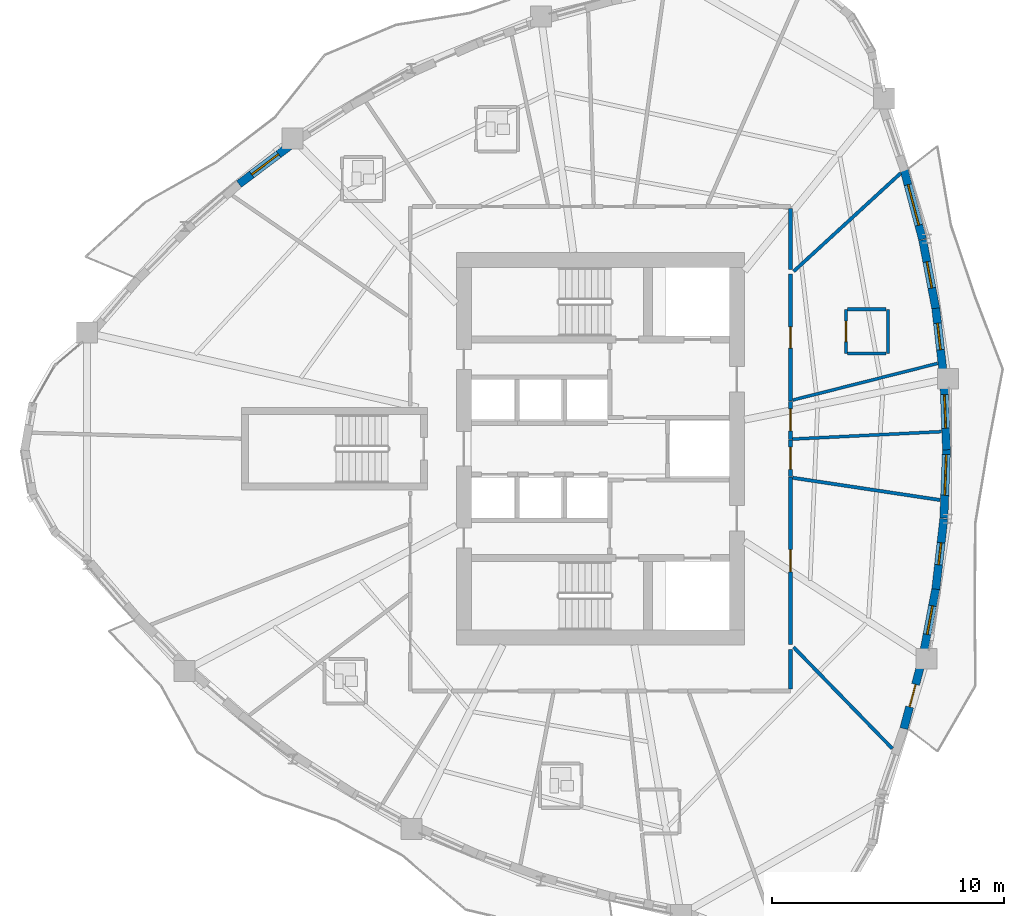
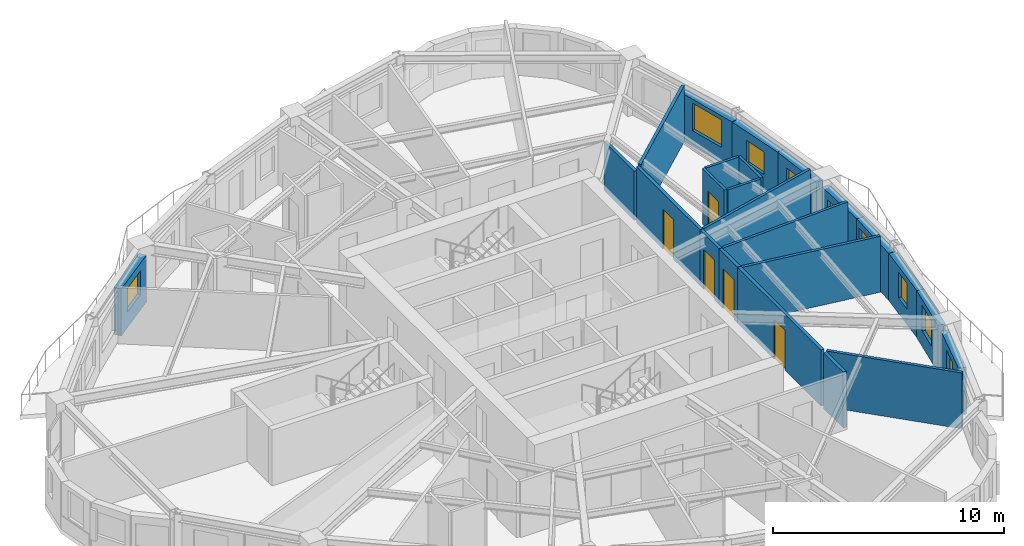
# One storey, part 8 of 14: 24 walls, 8 windows, 6 doors, 14 openings.
"""IFC4 building model written with IfcOpenShell, lengths in metres."""

from ifc_helpers import new_model, si_unit, direction, frame, frame_2d, origin, place, context, subcontext, project, spatial, rectangle, extrude, source, transform, mapped, material, layer, layer_set, type_object, element, fill, save


model = new_model("IFC4")

# Units and contexts
model_context = context("Model", 3, precision=1e-05, world=origin(), true_north=direction((0.0, 1.0)))
body_context = subcontext(model_context, "Body", "Model", "MODEL_VIEW")
ifc_project = project(units=[si_unit("LENGTHUNIT", "METRE"), si_unit("AREAUNIT", "SQUARE_METRE"), si_unit("VOLUMEUNIT", "CUBIC_METRE"), si_unit("PLANEANGLEUNIT", "RADIAN"), si_unit("MASSUNIT", "GRAM", prefix="KILO")], contexts=[model_context])

# Site, building, storey
site_placement = place(None, origin())
site = spatial("IfcSite", under=ifc_project, at=site_placement, CompositionType="ELEMENT")
building_placement = place(site_placement, origin())
building = spatial("IfcBuilding", under=site, at=building_placement, Name="Qafzar Sky-Pleat Residences", CompositionType="ELEMENT")
storey_placement = place(building_placement, frame((0.0, 0.0, 73.60009765625)))
storey = spatial("IfcBuildingStorey", under=building, at=storey_placement, Name="L21", CompositionType="ELEMENT", Elevation=73.60009765625)

# Wall, opening, door
ifc_material_1 = material(Name="Acoustic gypsum plasterboard partition", Category="gypsum")
ifc_layer_1 = layer(ifc_material_1, 0.159912109375)
ifc_layer_set_1 = layer_set([ifc_layer_1], Name="Acoustic gypsum plasterboard partition")
wall_type_1 = type_object("IfcWallType", Name="PART-COR-160", PredefinedType="PARTITIONING", material=ifc_layer_set_1)
wall_1_placement = place(storey_placement, frame((38.530029296875, 24.781005859375, 0.0), z_axis=(0.0, 0.0, 1.0), x_axis=(0.0, -1.0, 0.0)))
wall_1 = element("IfcWall", 1, at=wall_1_placement, inside=storey, type_object=wall_type_1, Name="L21 Partition Wall PART-L21-PW-001", PredefinedType="PARTITIONING", context=body_context, shape_type="SweptSolid", body=[
    extrude(rectangle(XDim=7.203125, YDim=0.159912109375, at=frame_2d((3.6015625, 0.0))), origin(), (0.0, 0.0, 1.0), 2.949951171875),
])
opening_1_placement = place(wall_1_placement, frame((3.118896484375, 0.0, 0.0)))
opening_1 = element("IfcOpeningElement", 2, at=opening_1_placement, cuts=wall_1, Name="Opening ID-06", PredefinedType="OPENING", context=body_context, shape_type="SweptSolid", body=[
    extrude(rectangle(XDim=0.9599609375, YDim=2.10009765625, at=frame_2d((0.47998046875, 1.050048828125))), frame((0.0, 0.08984375, 0.0), z_axis=(0.0, -1.0, 0.0), x_axis=(1.0, 0.0, 0.0)), (0.0, 0.0, 1.0), 0.179931640625),
])
ifc_material_2 = material(Name="Timber-faced fire door", Category="wood")
door_type_1 = type_object("IfcDoorType", Name="DR-STD-960", OperationType="NOTDEFINED", PredefinedType="DOOR", material=ifc_material_2)
shared_shape_1 = source(origin(), body_context, "Body", "SweptSolid", [
    extrude(rectangle(XDim=0.9599609375, YDim=2.10009765625, at=frame_2d((0.47998046875, 1.050048828125))), frame((0.0, 0.02490234375, 0.0), z_axis=(0.0, -1.0, 0.0), x_axis=(1.0, 0.0, 0.0)), (0.0, 0.0, 1.0), 0.050048828125),
])
door_1_placement = place(opening_1_placement, origin())
door_1 = element("IfcDoor", 3, at=door_1_placement, inside=storey, type_object=door_type_1, Name="L21 Postdoctoral Admin Office Door", OperationType="SINGLE_SWING_RIGHT", OverallHeight=2.10009765625, OverallWidth=0.9599609375, PredefinedType="DOOR", context=body_context, shape_type="MappedRepresentation", body=[
    mapped(shared_shape_1, transform((0.0, 0.0, 0.0), x_axis=(1.0, 0.0, 0.0), y_axis=(0.0, 1.0, 0.0), z_axis=(0.0, 0.0, 1.0), scale=1.0)),
])
fill(opening_1, door_1)

wall_2_placement = place(storey_placement, frame((38.530029296875, 33.52587890625, 0.0), z_axis=(0.0, 0.0, 1.0), x_axis=(0.0, -1.0, 0.0)))
wall_2 = element("IfcWall", 4, at=wall_2_placement, inside=storey, type_object=wall_type_1, Name="L21 Partition Wall PART-L21-PW-002", PredefinedType="PARTITIONING", context=body_context, shape_type="SweptSolid", body=[
    extrude(rectangle(XDim=5.471923828125, YDim=0.159912109375, at=frame_2d((2.73583984375, 0.0))), origin(), (0.0, 0.0, 1.0), 2.949951171875),
])
opening_2_placement = place(wall_2_placement, frame((2.278076171875, 0.0, 0.0)))
opening_2 = element("IfcOpeningElement", 5, at=opening_2_placement, cuts=wall_2, Name="Opening ID-04", PredefinedType="OPENING", context=body_context, shape_type="SweptSolid", body=[
    extrude(rectangle(XDim=0.919921875, YDim=2.10009765625, at=frame_2d((0.4599609375, 1.050048828125))), frame((0.0, 0.08984375, 0.0), z_axis=(0.0, -1.0, 0.0), x_axis=(1.0, 0.0, 0.0)), (0.0, 0.0, 1.0), 0.179931640625),
])
door_type_2 = type_object("IfcDoorType", Name="DR-BED-920", OperationType="NOTDEFINED", PredefinedType="DOOR", material=ifc_material_2)
shared_shape_2 = source(origin(), body_context, "Body", "SweptSolid", [
    extrude(rectangle(XDim=0.919921875, YDim=2.10009765625, at=frame_2d((0.4599609375, 1.050048828125))), frame((0.0, 0.02490234375, 0.0), z_axis=(0.0, -1.0, 0.0), x_axis=(1.0, 0.0, 0.0)), (0.0, 0.0, 1.0), 0.050048828125),
])
door_2_placement = place(opening_2_placement, origin())
door_2 = element("IfcDoor", 6, at=door_2_placement, inside=storey, type_object=door_type_2, Name="L21 Co-Living Bedroom 8 Door", OperationType="SINGLE_SWING_LEFT", OverallHeight=2.10009765625, OverallWidth=0.919921875, PredefinedType="DOOR", context=body_context, shape_type="MappedRepresentation", body=[
    mapped(shared_shape_2, transform((0.0, 0.0, 0.0), x_axis=(1.0, 0.0, 0.0), y_axis=(0.0, 1.0, 0.0), z_axis=(0.0, 0.0, 1.0), scale=1.0)),
])
fill(opening_2, door_2)

wall_3_placement = place(storey_placement, frame((38.530029296875, 28.0390625, 0.0), z_axis=(0.0, 0.0, 1.0), x_axis=(0.0, -1.0, 0.0)))
wall_3 = element("IfcWall", 7, at=wall_3_placement, inside=storey, type_object=wall_type_1, Name="L21 Partition Wall PART-L21-PW-022", PredefinedType="PARTITIONING", context=body_context, shape_type="SweptSolid", body=[
    extrude(rectangle(XDim=1.64306640625, YDim=0.159912109375, at=frame_2d((0.821533203125, 0.0))), origin(), (0.0, 0.0, 1.0), 2.949951171875),
])
opening_3_placement = place(wall_3_placement, frame((0.323486328125, 0.0, 0.0)))
opening_3 = element("IfcOpeningElement", 8, at=opening_3_placement, cuts=wall_3, Name="Opening ID-08", PredefinedType="OPENING", context=body_context, shape_type="SweptSolid", body=[
    extrude(rectangle(XDim=0.949951171875, YDim=2.10009765625, at=frame_2d((0.47509765625, 1.050048828125))), frame((0.0, 0.08984375, 0.0), z_axis=(0.0, -1.0, 0.0), x_axis=(1.0, 0.0, 0.0)), (0.0, 0.0, 1.0), 0.179931640625),
])
door_type_3 = type_object("IfcDoorType", Name="DR-AWC-950", OperationType="NOTDEFINED", PredefinedType="DOOR", material=ifc_material_2)
shared_shape_3 = source(origin(), body_context, "Body", "SweptSolid", [
    extrude(rectangle(XDim=0.949951171875, YDim=2.10009765625, at=frame_2d((0.47509765625, 1.050048828125))), frame((0.0, 0.02490234375, 0.0), z_axis=(0.0, -1.0, 0.0), x_axis=(1.0, 0.0, 0.0)), (0.0, 0.0, 1.0), 0.050048828125),
])
door_3_placement = place(opening_3_placement, origin())
door_3 = element("IfcDoor", 9, at=door_3_placement, inside=storey, type_object=door_type_3, Name="L21 Accessible Shared Washroom Door", OperationType="SINGLE_SWING_RIGHT", OverallHeight=2.10009765625, OverallWidth=0.949951171875, PredefinedType="DOOR", context=body_context, shape_type="MappedRepresentation", body=[
    mapped(shared_shape_3, transform((0.0, 0.0, 0.0), x_axis=(1.0, 0.0, 0.0), y_axis=(0.0, 1.0, 0.0), z_axis=(0.0, 0.0, 1.0), scale=1.0)),
])
fill(opening_3, door_3)

wall_4_placement = place(storey_placement, frame((38.530029296875, 26.381103515625, 0.0), z_axis=(0.0, 0.0, 1.0), x_axis=(0.0, -1.0, 0.0)))
wall_4 = element("IfcWall", 10, at=wall_4_placement, inside=storey, type_object=wall_type_1, Name="L21 Partition Wall PART-L21-PW-023", PredefinedType="PARTITIONING", context=body_context, shape_type="SweptSolid", body=[
    extrude(rectangle(XDim=1.585205078125, YDim=0.159912109375, at=frame_2d((0.79248046875, 0.0))), origin(), (0.0, 0.0, 1.0), 2.949951171875),
])
opening_4_placement = place(wall_4_placement, frame((0.31298828125, 0.0, 0.0)))
opening_4 = element("IfcOpeningElement", 11, at=opening_4_placement, cuts=wall_4, Name="Opening ID-06", PredefinedType="OPENING", context=body_context, shape_type="SweptSolid", body=[
    extrude(rectangle(XDim=0.9599609375, YDim=2.10009765625, at=frame_2d((0.47998046875, 1.050048828125))), frame((0.0, 0.08984375, 0.0), z_axis=(0.0, -1.0, 0.0), x_axis=(1.0, 0.0, 0.0)), (0.0, 0.0, 1.0), 0.179931640625),
])
door_4_placement = place(opening_4_placement, origin())
door_4 = element("IfcDoor", 12, at=door_4_placement, inside=storey, type_object=door_type_1, Name="L21 Scholar Study Room Door", OperationType="SINGLE_SWING_LEFT", OverallHeight=2.10009765625, OverallWidth=0.9599609375, PredefinedType="DOOR", context=body_context, shape_type="MappedRepresentation", body=[
    mapped(shared_shape_1, transform((0.0, 0.0, 0.0), x_axis=(1.0, 0.0, 0.0), y_axis=(0.0, 1.0, 0.0), z_axis=(0.0, 0.0, 1.0), scale=1.0)),
])
fill(opening_4, door_4)

# Walls
wall_5_placement = place(storey_placement, frame((38.530029296875, 33.720703125, 0.0), z_axis=(0.0, 0.0, 1.0), x_axis=(0.0, 1.0, 0.0)))
element("IfcWall", 13, at=wall_5_placement, inside=storey, type_object=wall_type_1, Name="L21 Partition Wall PART-L21-PW-044", PredefinedType="PARTITIONING", context=body_context, shape_type="SweptSolid", body=[
    extrude(rectangle(XDim=2.621337890625, YDim=0.159912109375, at=frame_2d((1.310546875, 0.0))), origin(), (0.0, 0.0, 1.0), 2.587890625),
])
wall_6_placement = place(storey_placement, frame((38.530029296875, 15.657958984375, 0.0), z_axis=(0.0, 0.0, 1.0), x_axis=(0.0, 1.0, 0.0)))
element("IfcWall", 14, at=wall_6_placement, inside=storey, type_object=wall_type_1, Name="L21 Partition Wall PART-L21-PW-045", PredefinedType="PARTITIONING", context=body_context, shape_type="SweptSolid", body=[
    extrude(rectangle(XDim=1.7109375, YDim=0.159912109375, at=frame_2d((0.85546875, 0.0))), origin(), (0.0, 0.0, 1.0), 2.949951171875),
])
ifc_layer_2 = layer(ifc_material_1, 0.14501953125)
ifc_layer_set_2 = layer_set([ifc_layer_2], Name="Acoustic gypsum plasterboard partition")
wall_type_2 = type_object("IfcWallType", Name="PART-UNIT-145", PredefinedType="PARTITIONING", material=ifc_layer_set_2)
wall_7_placement = place(storey_placement, frame((38.628662109375, 24.75, 0.0), z_axis=(0.0, 0.0, 1.0), x_axis=(0.988806184902, -0.149205659073, 0.0)))
element("IfcWall", 15, at=wall_7_placement, inside=storey, type_object=wall_type_2, Name="L21 Partition Wall PART-L21-PW-036", PredefinedType="PARTITIONING", context=body_context, shape_type="SweptSolid", body=[
    extrude(rectangle(XDim=6.415771484375, YDim=0.14501953125, at=frame_2d((3.2080078125, 0.0))), origin(), (0.0, 0.0, 1.0), 2.949951171875),
])
wall_8_placement = place(storey_placement, frame((38.664794921875, 33.6298828125, 0.0), z_axis=(0.0, 0.0, 1.0), x_axis=(0.736824900837, 0.676083623161, 0.0)))
element("IfcWall", 16, at=wall_8_placement, inside=storey, type_object=wall_type_2, Name="L21 Partition Wall PART-L21-PW-038", PredefinedType="PARTITIONING", context=body_context, shape_type="SweptSolid", body=[
    extrude(rectangle(XDim=6.25, YDim=0.14501953125, at=frame_2d((3.125, 0.0))), origin(), (0.0, 0.0, 1.0), 2.949951171875),
])
wall_9_placement = place(storey_placement, frame((38.66748046875, 17.457763671875, 0.0), z_axis=(0.0, 0.0, 1.0), x_axis=(0.697626427609, -0.716461699954, 0.0)))
element("IfcWall", 17, at=wall_9_placement, inside=storey, type_object=wall_type_2, Name="L21 Partition Wall PART-L21-PW-039", PredefinedType="PARTITIONING", context=body_context, shape_type="SweptSolid", body=[
    extrude(rectangle(XDim=6.092041015625, YDim=0.14501953125, at=frame_2d((3.0458984375, 0.0))), origin(), (0.0, 0.0, 1.0), 2.949951171875),
])

# Wall, opening, door
ifc_material_3 = material(Name="Moisture-resistant gypsum partition", Category="gypsum")
ifc_layer_3 = layer(ifc_material_3, 0.1298828125)
ifc_layer_set_3 = layer_set([ifc_layer_3], Name="Moisture-resistant gypsum partition")
wall_type_3 = type_object("IfcWallType", Name="PART-WET-130", PredefinedType="PARTITIONING", material=ifc_layer_set_3)
wall_10_placement = place(storey_placement, frame((40.9189453125, 32.00390625, 0.0), z_axis=(0.0, 0.0, 1.0), x_axis=(0.0, -1.0, 0.0)))
wall_10 = element("IfcWall", 18, at=wall_10_placement, inside=storey, type_object=wall_type_3, Name="L21 Partition Wall PART-L21-PW-020", PredefinedType="PARTITIONING", context=body_context, shape_type="SweptSolid", body=[
    extrude(rectangle(XDim=1.89990234375, YDim=0.1298828125, at=frame_2d((0.949951171875, 0.0))), origin(), (0.0, 0.0, 1.0), 2.949951171875),
])
opening_5_placement = place(wall_10_placement, frame((0.510009765625, 0.0, 0.0)))
opening_5 = element("IfcOpeningElement", 19, at=opening_5_placement, cuts=wall_10, Name="Opening ID-07", PredefinedType="OPENING", context=body_context, shape_type="SweptSolid", body=[
    extrude(rectangle(XDim=0.8798828125, YDim=2.050048828125, at=frame_2d((0.43994140625, 1.02490234375))), frame((0.0, 0.074951171875, 0.0), z_axis=(0.0, -1.0, 0.0), x_axis=(1.0, 0.0, 0.0)), (0.0, 0.0, 1.0), 0.14990234375),
])
door_type_4 = type_object("IfcDoorType", Name="DR-WET-880", OperationType="NOTDEFINED", PredefinedType="DOOR", material=ifc_material_2)
shared_shape_4 = source(origin(), body_context, "Body", "SweptSolid", [
    extrude(rectangle(XDim=0.8798828125, YDim=2.050048828125, at=frame_2d((0.43994140625, 1.02490234375))), frame((0.0, 0.02490234375, 0.0), z_axis=(0.0, -1.0, 0.0), x_axis=(1.0, 0.0, 0.0)), (0.0, 0.0, 1.0), 0.050048828125),
])
door_5_placement = place(opening_5_placement, origin())
door_5 = element("IfcDoor", 20, at=door_5_placement, inside=storey, type_object=door_type_4, Name="L21 En-suite Bathroom 8 Door", OperationType="SINGLE_SWING_RIGHT", OverallHeight=2.050048828125, OverallWidth=0.8798828125, PredefinedType="DOOR", context=body_context, shape_type="MappedRepresentation", body=[
    mapped(shared_shape_4, transform((0.0, 0.0, 0.0), x_axis=(1.0, 0.0, 0.0), y_axis=(0.0, 1.0, 0.0), z_axis=(0.0, 0.0, 1.0), scale=1.0)),
])
fill(opening_5, door_5)

# Walls
wall_11_placement = place(storey_placement, frame((38.6337890625, 28.09619140625, 0.0), z_axis=(0.0, 0.0, 1.0), x_axis=(0.969457090906, 0.245260981186, 0.0)))
element("IfcWall", 21, at=wall_11_placement, inside=storey, type_object=wall_type_3, Name="L21 Partition Wall PART-L21-PW-035", PredefinedType="PARTITIONING", context=body_context, shape_type="SweptSolid", body=[
    extrude(rectangle(XDim=6.426513671875, YDim=0.1298828125, at=frame_2d((3.21337890625, 0.0))), origin(), (0.0, 0.0, 1.0), 2.949951171875),
])
wall_12_placement = place(storey_placement, frame((38.62109375, 26.41552734375, 0.0), z_axis=(0.0, 0.0, 1.0), x_axis=(0.998746074583, 0.050062745689, 0.0)))
element("IfcWall", 22, at=wall_12_placement, inside=storey, type_object=wall_type_3, Name="L21 Partition Wall PART-L21-PW-037", PredefinedType="PARTITIONING", context=body_context, shape_type="SweptSolid", body=[
    extrude(rectangle(XDim=6.422607421875, YDim=0.1298828125, at=frame_2d((3.21142578125, 0.0))), origin(), (0.0, 0.0, 1.0), 2.949951171875),
])
wall_13_placement = place(storey_placement, frame((42.718994140625, 30.10400390625, 0.0), z_axis=(0.0, 0.0, 1.0), x_axis=(0.0, 1.0, 0.0)))
element("IfcWall", 23, at=wall_13_placement, inside=storey, type_object=wall_type_3, Name="L21 Partition Wall PART-L21-PW-050", PredefinedType="PARTITIONING", context=body_context, shape_type="SweptSolid", body=[
    extrude(rectangle(XDim=1.89990234375, YDim=0.1298828125, at=frame_2d((0.949951171875, 0.0))), origin(), (0.0, 0.0, 1.0), 2.949951171875),
])
for number, where, z_axis, x_axis, name in (
    (24, (40.991943359375, 32.00390625, 0.0), (0.0, 0.0, 1.0), (1.0, 0.0, 0.0), "L21 Partition Wall PART-L21-PW-052"),
    (25, (40.991943359375, 30.10400390625, 0.0), (0.0, 0.0, 1.0), (1.0, 0.0, 0.0), "L21 Partition Wall PART-L21-PW-053"),
):
    element("IfcWall", number, at=place(storey_placement, frame(where, z_axis=z_axis, x_axis=x_axis)), inside=storey, type_object=wall_type_3, Name=name, PredefinedType="PARTITIONING", context=body_context, shape_type="SweptSolid", body=[
        extrude(rectangle(XDim=1.654052734375, YDim=0.1298828125, at=frame_2d((0.8271484375, 0.0))), origin(), (0.0, 0.0, 1.0), 2.949951171875),
    ])

# Wall, opening, door
ifc_material_4 = material(Name="Precast concrete C40/50 with honed Riyadh limestone", Category="concrete")
ifc_layer_4 = layer(ifc_material_4, 0.35009765625)
ifc_layer_set_4 = layer_set([ifc_layer_4], Name="Precast concrete C40/50 with honed Riyadh limestone")
wall_type_4 = type_object("IfcWallType", Name="WALL-EXT-350", PredefinedType="SOLIDWALL", material=ifc_layer_set_4)
wall_14_placement = place(storey_placement, frame((43.41162109375, 13.954833984375, 0.0), z_axis=(0.0, 0.0, 1.0), x_axis=(0.257050841376, 0.966397881283, 0.0)))
wall_14 = element("IfcWall", 26, at=wall_14_placement, inside=storey, type_object=wall_type_4, Name="L21 Limestone Facade Wall 24", PredefinedType="SOLIDWALL", context=body_context, shape_type="SweptSolid", body=[
    extrude(rectangle(XDim=2.930908203125, YDim=0.35009765625, at=frame_2d((1.46533203125, 0.0))), origin(), (0.0, 0.0, 1.0), 2.47998046875),
])
opening_6_placement = place(wall_14_placement, frame((0.965576171875, 0.0, 0.0)))
opening_6 = element("IfcOpeningElement", 27, at=opening_6_placement, cuts=wall_14, Name="Opening ED-05", PredefinedType="OPENING", context=body_context, shape_type="SweptSolid", body=[
    extrude(rectangle(XDim=1.0, YDim=2.10009765625, at=frame_2d((0.5, 1.050048828125))), frame((0.0, 0.18505859375, 0.0), z_axis=(0.0, -1.0, 0.0), x_axis=(1.0, 0.0, 0.0)), (0.0, 0.0, 1.0), 0.3701171875),
])
ifc_material_5 = material(Name="Glazed bronze aluminium door", Category="aluminium")
door_type_5 = type_object("IfcDoorType", Name="DR-BAL-1000", OperationType="NOTDEFINED", PredefinedType="DOOR", material=ifc_material_5)
shared_shape_5 = source(origin(), body_context, "Body", "SweptSolid", [
    extrude(rectangle(XDim=1.0, YDim=2.10009765625, at=frame_2d((0.5, 1.050048828125))), frame((0.0, 0.02490234375, 0.0), z_axis=(0.0, -1.0, 0.0), x_axis=(1.0, 0.0, 0.0)), (0.0, 0.0, 1.0), 0.050048828125),
])
door_6_placement = place(opening_6_placement, origin())
door_6 = element("IfcDoor", 28, at=door_6_placement, inside=storey, type_object=door_type_5, Name="L21 Glazed Balcony Door 1", OperationType="SINGLE_SWING_LEFT", OverallHeight=2.10009765625, OverallWidth=1.0, PredefinedType="DOOR", context=body_context, shape_type="MappedRepresentation", body=[
    mapped(shared_shape_5, transform((0.0, 0.0, 0.0), x_axis=(1.0, 0.0, 0.0), y_axis=(0.0, 1.0, 0.0), z_axis=(0.0, 0.0, 1.0), scale=1.0)),
])
fill(opening_6, door_6)

# Wall, opening, window
wall_15_placement = place(storey_placement, frame((44.26220703125, 17.213623046875, 0.0), z_axis=(0.0, 0.0, 1.0), x_axis=(0.18665246466, 0.982426006087, 0.0)))
wall_15 = element("IfcWall", 29, at=wall_15_placement, inside=storey, type_object=wall_type_4, Name="L21 Limestone Facade Wall 25", PredefinedType="SOLIDWALL", context=body_context, shape_type="SweptSolid", body=[
    extrude(rectangle(XDim=2.880126953125, YDim=0.35009765625, at=frame_2d((1.43994140625, 0.0))), origin(), (0.0, 0.0, 1.0), 2.47998046875),
])
opening_7_placement = place(wall_15_placement, frame((0.810302734375, 0.0, 0.820068359375)))
opening_7 = element("IfcOpeningElement", 30, at=opening_7_placement, cuts=wall_15, Name="Opening WN-11", PredefinedType="OPENING", context=body_context, shape_type="SweptSolid", body=[
    extrude(rectangle(XDim=1.25, YDim=1.35009765625, at=frame_2d((0.625, 0.675048828125))), frame((0.0, 0.18505859375, 0.0), z_axis=(0.0, -1.0, 0.0), x_axis=(1.0, 0.0, 0.0)), (0.0, 0.0, 1.0), 0.3701171875),
])
ifc_material_6 = material(Name="Solar-control low-E glass in bronze aluminium frame", Category="glass")
window_type_1 = type_object("IfcWindowType", Name="WIN-11", PartitioningType="SINGLE_PANEL", PredefinedType="WINDOW", material=ifc_material_6)
shared_shape_6 = source(origin(), body_context, "Body", "SweptSolid", [
    extrude(rectangle(XDim=1.25, YDim=1.35009765625, at=frame_2d((0.625, 0.675048828125))), frame((0.0, 0.030029296875, 0.0), z_axis=(0.0, -1.0, 0.0), x_axis=(1.0, 0.0, 0.0)), (0.0, 0.0, 1.0), 0.06005859375),
])
window_1_placement = place(opening_7_placement, origin())
window_1 = element("IfcWindow", 31, at=window_1_placement, inside=storey, type_object=window_type_1, Name="L21 Punched Facade Window 25", OverallHeight=1.35009765625, OverallWidth=1.25, PartitioningType="SINGLE_PANEL", PredefinedType="WINDOW", context=body_context, shape_type="MappedRepresentation", body=[
    mapped(shared_shape_6, transform((0.0, 0.0, 0.0), x_axis=(1.0, 0.0, 0.0), y_axis=(0.0, 1.0, 0.0), z_axis=(0.0, 0.0, 1.0), scale=1.0)),
])
fill(opening_7, window_1)

wall_16_placement = place(storey_placement, frame((44.78662109375, 19.955322265625, 0.0), z_axis=(0.0, 0.0, 1.0), x_axis=(0.113232876367, 0.993568475602, 0.0)))
wall_16 = element("IfcWall", 32, at=wall_16_placement, inside=storey, type_object=wall_type_4, Name="L21 Limestone Facade Wall 26", PredefinedType="SOLIDWALL", context=body_context, shape_type="SweptSolid", body=[
    extrude(rectangle(XDim=3.05078125, YDim=0.35009765625, at=frame_2d((1.525390625, 0.0))), origin(), (0.0, 0.0, 1.0), 2.47998046875),
])
opening_8_placement = place(wall_16_placement, frame((1.060302734375, 0.0, 0.820068359375)))
opening_8 = element("IfcOpeningElement", 33, at=opening_8_placement, cuts=wall_16, Name="Opening WN-12", PredefinedType="OPENING", context=body_context, shape_type="SweptSolid", body=[
    extrude(rectangle(XDim=0.949951171875, YDim=1.35009765625, at=frame_2d((0.47509765625, 0.675048828125))), frame((0.0, 0.18505859375, 0.0), z_axis=(0.0, -1.0, 0.0), x_axis=(1.0, 0.0, 0.0)), (0.0, 0.0, 1.0), 0.3701171875),
])
window_type_2 = type_object("IfcWindowType", Name="WIN-12", PartitioningType="SINGLE_PANEL", PredefinedType="WINDOW", material=ifc_material_6)
shared_shape_7 = source(origin(), body_context, "Body", "SweptSolid", [
    extrude(rectangle(XDim=0.949951171875, YDim=1.35009765625, at=frame_2d((0.47509765625, 0.675048828125))), frame((0.0, 0.030029296875, 0.0), z_axis=(0.0, -1.0, 0.0), x_axis=(1.0, 0.0, 0.0)), (0.0, 0.0, 1.0), 0.06005859375),
])
window_2_placement = place(opening_8_placement, origin())
window_2 = element("IfcWindow", 34, at=window_2_placement, inside=storey, type_object=window_type_2, Name="L21 Punched Facade Window 26", OverallHeight=1.35009765625, OverallWidth=0.949951171875, PartitioningType="SINGLE_PANEL", PredefinedType="WINDOW", context=body_context, shape_type="MappedRepresentation", body=[
    mapped(shared_shape_7, transform((0.0, 0.0, 0.0), x_axis=(1.0, 0.0, 0.0), y_axis=(0.0, 1.0, 0.0), z_axis=(0.0, 0.0, 1.0), scale=1.0)),
])
fill(opening_8, window_2)

wall_17_placement = place(storey_placement, frame((45.134033203125, 23.01318359375, 0.0), z_axis=(0.0, 0.0, 1.0), x_axis=(0.037984969205, 0.999278310639, 0.0)))
wall_17 = element("IfcWall", 35, at=wall_17_placement, inside=storey, type_object=wall_type_4, Name="L21 Limestone Facade Wall 27", PredefinedType="SOLIDWALL", context=body_context, shape_type="SweptSolid", body=[
    extrude(rectangle(XDim=3.03369140625, YDim=0.35009765625, at=frame_2d((1.516845703125, 0.0))), origin(), (0.0, 0.0, 1.0), 2.47998046875),
])
opening_9_placement = place(wall_17_placement, frame((0.98681640625, 0.0, 0.820068359375)))
opening_9 = element("IfcOpeningElement", 36, at=opening_9_placement, cuts=wall_17, Name="Opening WN-14", PredefinedType="OPENING", context=body_context, shape_type="SweptSolid", body=[
    extrude(rectangle(XDim=1.75, YDim=1.300048828125, at=frame_2d((0.875, 0.64990234375))), frame((0.0, 0.18505859375, 0.0), z_axis=(0.0, -1.0, 0.0), x_axis=(1.0, 0.0, 0.0)), (0.0, 0.0, 1.0), 0.3701171875),
])
window_type_3 = type_object("IfcWindowType", Name="WIN-14", PartitioningType="DOUBLE_PANEL_VERTICAL", PredefinedType="WINDOW", material=ifc_material_6)
shared_shape_8 = source(origin(), body_context, "Body", "SweptSolid", [
    extrude(rectangle(XDim=1.75, YDim=1.300048828125, at=frame_2d((0.875, 0.64990234375))), frame((0.0, 0.030029296875, 0.0), z_axis=(0.0, -1.0, 0.0), x_axis=(1.0, 0.0, 0.0)), (0.0, 0.0, 1.0), 0.06005859375),
])
window_3_placement = place(opening_9_placement, origin())
window_3 = element("IfcWindow", 37, at=window_3_placement, inside=storey, type_object=window_type_3, Name="L21 Punched Facade Window 27-2", OverallHeight=1.300048828125, OverallWidth=1.75, PartitioningType="SINGLE_PANEL", PredefinedType="WINDOW", context=body_context, shape_type="MappedRepresentation", body=[
    mapped(shared_shape_8, transform((0.0, 0.0, 0.0), x_axis=(1.0, 0.0, 0.0), y_axis=(0.0, 1.0, 0.0), z_axis=(0.0, 0.0, 1.0), scale=1.0)),
])
fill(opening_9, window_3)

wall_18_placement = place(storey_placement, frame((45.249267578125, 25.955322265625, 0.0), z_axis=(0.0, 0.0, 1.0), x_axis=(-0.0379756963, 0.999278663082, 0.0)))
wall_18 = element("IfcWall", 38, at=wall_18_placement, inside=storey, type_object=wall_type_4, Name="L21 Limestone Facade Wall 28", PredefinedType="SOLIDWALL", context=body_context, shape_type="SweptSolid", body=[
    extrude(rectangle(XDim=2.82861328125, YDim=0.35009765625, at=frame_2d((1.414306640625, 0.0))), origin(), (0.0, 0.0, 1.0), 2.47998046875),
])
opening_10_placement = place(wall_18_placement, frame((0.92919921875, 0.0, 0.820068359375)))
opening_10 = element("IfcOpeningElement", 39, at=opening_10_placement, cuts=wall_18, Name="Opening WN-15", PredefinedType="OPENING", context=body_context, shape_type="SweptSolid", body=[
    extrude(rectangle(XDim=1.449951171875, YDim=1.25, at=frame_2d((0.72509765625, 0.625))), frame((0.0, 0.18505859375, 0.0), z_axis=(0.0, -1.0, 0.0), x_axis=(1.0, 0.0, 0.0)), (0.0, 0.0, 1.0), 0.3701171875),
])
window_type_4 = type_object("IfcWindowType", Name="WIN-15", PartitioningType="SINGLE_PANEL", PredefinedType="WINDOW", material=ifc_material_6)
shared_shape_9 = source(origin(), body_context, "Body", "SweptSolid", [
    extrude(rectangle(XDim=1.449951171875, YDim=1.25, at=frame_2d((0.72509765625, 0.625))), frame((0.0, 0.030029296875, 0.0), z_axis=(0.0, -1.0, 0.0), x_axis=(1.0, 0.0, 0.0)), (0.0, 0.0, 1.0), 0.06005859375),
])
window_4_placement = place(opening_10_placement, origin())
window_4 = element("IfcWindow", 40, at=window_4_placement, inside=storey, type_object=window_type_4, Name="L21 Punched Facade Window 28-2", OverallHeight=1.25, OverallWidth=1.449951171875, PartitioningType="SINGLE_PANEL", PredefinedType="WINDOW", context=body_context, shape_type="MappedRepresentation", body=[
    mapped(shared_shape_9, transform((0.0, 0.0, 0.0), x_axis=(1.0, 0.0, 0.0), y_axis=(0.0, 1.0, 0.0), z_axis=(0.0, 0.0, 1.0), scale=1.0)),
])
fill(opening_10, window_4)

wall_19_placement = place(storey_placement, frame((45.10888671875, 29.217041015625, 0.0), z_axis=(0.0, 0.0, 1.0), x_axis=(-0.11323690057, 0.993568016972, 0.0)))
wall_19 = element("IfcWall", 41, at=wall_19_placement, inside=storey, type_object=wall_type_4, Name="L21 Limestone Facade Wall 29", PredefinedType="SOLIDWALL", context=body_context, shape_type="SweptSolid", body=[
    extrude(rectangle(XDim=2.845947265625, YDim=0.35009765625, at=frame_2d((1.4228515625, 0.0))), origin(), (0.0, 0.0, 1.0), 2.47998046875),
])
opening_11_placement = place(wall_19_placement, frame((1.0498046875, 0.0, 0.820068359375)))
opening_11 = element("IfcOpeningElement", 42, at=opening_11_placement, cuts=wall_19, Name="Opening WN-16", PredefinedType="OPENING", context=body_context, shape_type="SweptSolid", body=[
    extrude(rectangle(XDim=1.14990234375, YDim=1.199951171875, at=frame_2d((0.574951171875, 0.60009765625))), frame((0.0, 0.18505859375, 0.0), z_axis=(0.0, -1.0, 0.0), x_axis=(1.0, 0.0, 0.0)), (0.0, 0.0, 1.0), 0.3701171875),
])
window_type_5 = type_object("IfcWindowType", Name="WIN-16", PartitioningType="SINGLE_PANEL", PredefinedType="WINDOW", material=ifc_material_6)
shared_shape_10 = source(origin(), body_context, "Body", "SweptSolid", [
    extrude(rectangle(XDim=1.14990234375, YDim=1.199951171875, at=frame_2d((0.574951171875, 0.60009765625))), frame((0.0, 0.030029296875, 0.0), z_axis=(0.0, -1.0, 0.0), x_axis=(1.0, 0.0, 0.0)), (0.0, 0.0, 1.0), 0.06005859375),
])
window_5_placement = place(opening_11_placement, origin())
window_5 = element("IfcWindow", 43, at=window_5_placement, inside=storey, type_object=window_type_5, Name="L21 Punched Facade Window 29-2", OverallHeight=1.199951171875, OverallWidth=1.14990234375, PartitioningType="SINGLE_PANEL", PredefinedType="WINDOW", context=body_context, shape_type="MappedRepresentation", body=[
    mapped(shared_shape_10, transform((0.0, 0.0, 0.0), x_axis=(1.0, 0.0, 0.0), y_axis=(0.0, 1.0, 0.0), z_axis=(0.0, 0.0, 1.0), scale=1.0)),
])
fill(opening_11, window_5)

wall_20_placement = place(storey_placement, frame((44.7998046875, 31.956787109375, 0.0), z_axis=(0.0, 0.0, 1.0), x_axis=(-0.186672102023, 0.982422274954, 0.0)))
wall_20 = element("IfcWall", 44, at=wall_20_placement, inside=storey, type_object=wall_type_4, Name="L21 Limestone Facade Wall 30", PredefinedType="SOLIDWALL", context=body_context, shape_type="SweptSolid", body=[
    extrude(rectangle(XDim=3.085205078125, YDim=0.35009765625, at=frame_2d((1.54248046875, 0.0))), origin(), (0.0, 0.0, 1.0), 2.47998046875),
])
opening_12_placement = place(wall_20_placement, frame((0.977783203125, 0.0, 0.820068359375)))
opening_12 = element("IfcOpeningElement", 45, at=opening_12_placement, cuts=wall_20, Name="Opening WN-16", PredefinedType="OPENING", context=body_context, shape_type="SweptSolid", body=[
    extrude(rectangle(XDim=1.14990234375, YDim=1.199951171875, at=frame_2d((0.574951171875, 0.60009765625))), frame((0.0, 0.18505859375, 0.0), z_axis=(0.0, -1.0, 0.0), x_axis=(1.0, 0.0, 0.0)), (0.0, 0.0, 1.0), 0.3701171875),
])
window_6_placement = place(opening_12_placement, origin())
window_6 = element("IfcWindow", 46, at=window_6_placement, inside=storey, type_object=window_type_5, Name="L21 Punched Facade Window 30", OverallHeight=1.199951171875, OverallWidth=1.14990234375, PartitioningType="SINGLE_PANEL", PredefinedType="WINDOW", context=body_context, shape_type="MappedRepresentation", body=[
    mapped(shared_shape_10, transform((0.0, 0.0, 0.0), x_axis=(1.0, 0.0, 0.0), y_axis=(0.0, 1.0, 0.0), z_axis=(0.0, 0.0, 1.0), scale=1.0)),
])
fill(opening_12, window_6)

wall_21_placement = place(storey_placement, frame((44.2177734375, 35.014404296875, 0.0), z_axis=(0.0, 0.0, 1.0), x_axis=(-0.25705209467, 0.96639754792, 0.0)))
wall_21 = element("IfcWall", 47, at=wall_21_placement, inside=storey, type_object=wall_type_4, Name="L21 Limestone Facade Wall 31", PredefinedType="SOLIDWALL", context=body_context, shape_type="SweptSolid", body=[
    extrude(rectangle(XDim=3.13623046875, YDim=0.35009765625, at=frame_2d((1.568115234375, 0.0))), origin(), (0.0, 0.0, 1.0), 2.47998046875),
])
opening_13_placement = place(wall_21_placement, frame((0.6298828125, 0.0, 0.820068359375)))
opening_13 = element("IfcOpeningElement", 48, at=opening_13_placement, cuts=wall_21, Name="Opening WN-01", PredefinedType="OPENING", context=body_context, shape_type="SweptSolid", body=[
    extrude(rectangle(XDim=1.800048828125, YDim=1.449951171875, at=frame_2d((0.89990234375, 0.72509765625))), frame((0.0, 0.18505859375, 0.0), z_axis=(0.0, -1.0, 0.0), x_axis=(1.0, 0.0, 0.0)), (0.0, 0.0, 1.0), 0.3701171875),
])
window_type_6 = type_object("IfcWindowType", Name="WIN-01", PartitioningType="DOUBLE_PANEL_VERTICAL", PredefinedType="WINDOW", material=ifc_material_6)
shared_shape_11 = source(origin(), body_context, "Body", "SweptSolid", [
    extrude(rectangle(XDim=1.800048828125, YDim=1.449951171875, at=frame_2d((0.89990234375, 0.72509765625))), frame((0.0, 0.030029296875, 0.0), z_axis=(0.0, -1.0, 0.0), x_axis=(1.0, 0.0, 0.0)), (0.0, 0.0, 1.0), 0.06005859375),
])
window_7_placement = place(opening_13_placement, origin())
window_7 = element("IfcWindow", 49, at=window_7_placement, inside=storey, type_object=window_type_6, Name="L21 Punched Facade Window 31", OverallHeight=1.449951171875, OverallWidth=1.800048828125, PartitioningType="SINGLE_PANEL", PredefinedType="WINDOW", context=body_context, shape_type="MappedRepresentation", body=[
    mapped(shared_shape_11, transform((0.0, 0.0, 0.0), x_axis=(1.0, 0.0, 0.0), y_axis=(0.0, 1.0, 0.0), z_axis=(0.0, 0.0, 1.0), scale=1.0)),
])
fill(opening_13, window_7)

wall_22_placement = place(storey_placement, frame((17.031005859375, 39.0791015625, 0.0), z_axis=(0.0, 0.0, 1.0), x_axis=(-0.798385341516, -0.602146864521, 0.0)))
wall_22 = element("IfcWall", 50, at=wall_22_placement, inside=storey, type_object=wall_type_4, Name="L21 Limestone Facade Wall 45", PredefinedType="SOLIDWALL", context=body_context, shape_type="SweptSolid", body=[
    extrude(rectangle(XDim=2.79931640625, YDim=0.35009765625, at=frame_2d((1.399658203125, 0.0))), origin(), (0.0, 0.0, 1.0), 2.47998046875),
])
opening_14_placement = place(wall_22_placement, frame((0.669677734375, 0.0, 0.820068359375)))
opening_14 = element("IfcOpeningElement", 51, at=opening_14_placement, cuts=wall_22, Name="Opening WN-15", PredefinedType="OPENING", context=body_context, shape_type="SweptSolid", body=[
    extrude(rectangle(XDim=1.449951171875, YDim=1.25, at=frame_2d((0.72509765625, 0.625))), frame((0.0, 0.18505859375, 0.0), z_axis=(0.0, -1.0, 0.0), x_axis=(1.0, 0.0, 0.0)), (0.0, 0.0, 1.0), 0.3701171875),
])
window_8_placement = place(opening_14_placement, origin())
window_8 = element("IfcWindow", 52, at=window_8_placement, inside=storey, type_object=window_type_4, Name="L21 Punched Facade Window 45", OverallHeight=1.25, OverallWidth=1.449951171875, PartitioningType="SINGLE_PANEL", PredefinedType="WINDOW", context=body_context, shape_type="MappedRepresentation", body=[
    mapped(shared_shape_9, transform((0.0, 0.0, 0.0), x_axis=(1.0, 0.0, 0.0), y_axis=(0.0, 1.0, 0.0), z_axis=(0.0, 0.0, 1.0), scale=1.0)),
])
fill(opening_14, window_8)

save(model, "model.ifc")
